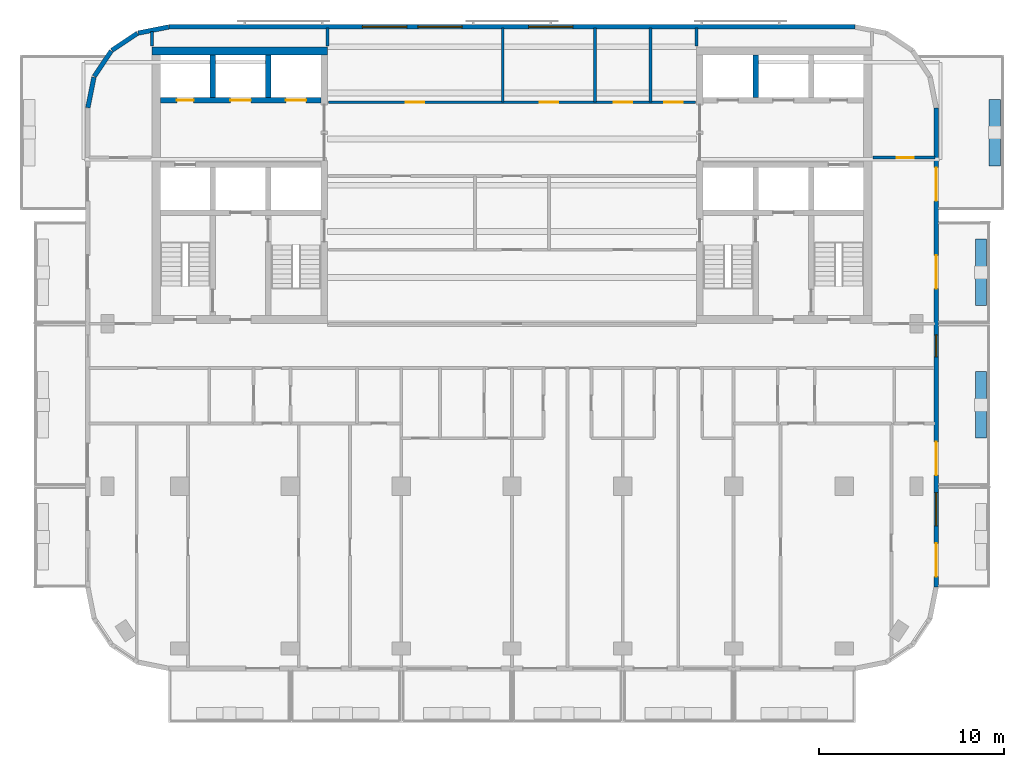
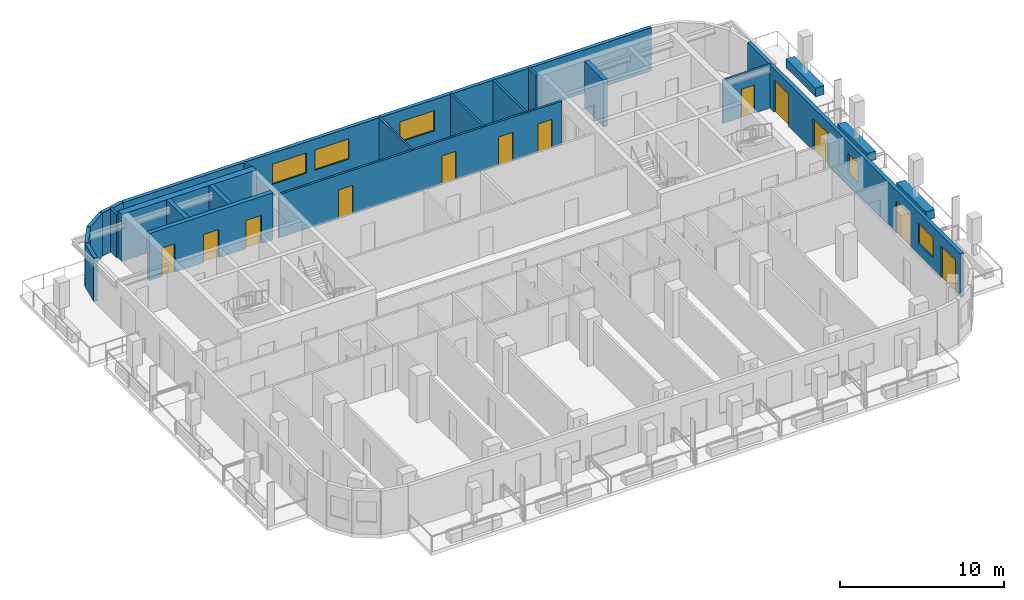
# One storey, part 6 of 11: 22 walls, 12 doors, 5 windows, 17 openings.
"""IFC4 building model written with IfcOpenShell, lengths in metres."""

import ifcopenshell
import ifcopenshell.guid

model = None  # the IFC model being written
_history = None  # IfcOwnerHistory: only IFC2X3 demands one
_inside = {}  # id of a spatial element -> (the spatial element, [elements in it])
_under = {}  # id of a project, library or spatial element -> (it, [spatial elements below it])
_declared = {}  # id of a project -> (the project, [libraries it declares])
_typed = {}  # id of a type object -> (the type object, [elements of that type])
_made_of = {}  # id of a material, layer set ... -> (it, [elements and type objects made of it])


def new_model(schema):
    """Start an empty IFC model of exactly this schema.

    Asked for "IFC4X3", IfcOpenShell would pick the latest addendum, in which some entities
    have other attributes; the version numbers below select the first issue.
    IFC2X3 requires an IfcOwnerHistory on every rooted entity: one is made here for all.
    """
    global model, _history
    if schema == "IFC4X3":
        model = ifcopenshell.file(schema_version=(4, 3, 0, 0))
    else:
        model = ifcopenshell.file(schema=schema)
    _inside.clear()
    _under.clear()
    _declared.clear()
    _typed.clear()
    _made_of.clear()
    _history = None
    if model.schema == "IFC2X3":
        org = make("IfcOrganization", Name="unknown")
        user = make(
            "IfcPersonAndOrganization",
            ThePerson=make("IfcPerson", FamilyName="unknown"),
            TheOrganization=org,
        )
        app = make(
            "IfcApplication",
            ApplicationDeveloper=org,
            Version="unknown",
            ApplicationFullName="unknown",
            ApplicationIdentifier="unknown",
        )
        _history = make(
            "IfcOwnerHistory",
            OwningUser=user,
            OwningApplication=app,
            ChangeAction="ADDED",
            CreationDate=0,
        )
    return model


def make(cls, **values):
    """One entity of the class cls with the attributes given. An attribute that is None is left unset."""
    return model.create_entity(
        cls, **{name: value for name, value in values.items() if value is not None}
    )


def rooted(cls, **values):
    """An entity with a GlobalId (a new one), such as an element, a storey or a relation."""
    return make(cls, GlobalId=ifcopenshell.guid.new(), OwnerHistory=_history, **values)


def si_unit(unit_type, name, prefix=None):
    """IfcSIUnit, for example si_unit("LENGTHUNIT", "METRE", prefix="MILLI")."""
    return make("IfcSIUnit", UnitType=unit_type, Prefix=prefix, Name=name)


def assignment(units):
    """IfcUnitAssignment: the units of a project."""
    return None if units is None else make("IfcUnitAssignment", Units=units)


def point(xyz):
    """IfcCartesianPoint."""
    return None if xyz is None else make("IfcCartesianPoint", Coordinates=xyz)


def direction(xyz):
    """IfcDirection."""
    return None if xyz is None else make("IfcDirection", DirectionRatios=xyz)


def frame(location, z_axis=None, x_axis=None):
    """IfcAxis2Placement3D, a coordinate frame: its origin and axes. An axis left out is left unset."""
    return make(
        "IfcAxis2Placement3D",
        Location=point(location),
        Axis=direction(z_axis),
        RefDirection=direction(x_axis),
    )


def frame_2d(location, x_axis=None):
    """IfcAxis2Placement2D, a coordinate frame in the plane: its origin and x axis."""
    return make(
        "IfcAxis2Placement2D", Location=point(location), RefDirection=direction(x_axis)
    )


def origin():
    """The frame at (0, 0, 0) with its axes left unset."""
    return frame((0.0, 0.0, 0.0))


def place(relative_to, where):
    """IfcLocalPlacement: puts the frame where relative to a parent placement (None: the world)."""
    return make(
        "IfcLocalPlacement", PlacementRelTo=relative_to, RelativePlacement=where
    )


def context(
    kind, dimensions, precision=None, world=None, true_north=None, identifier=None
):
    """IfcGeometricRepresentationContext, for example the 3D "Model" context."""
    return make(
        "IfcGeometricRepresentationContext",
        ContextIdentifier=identifier,
        ContextType=kind,
        CoordinateSpaceDimension=dimensions,
        Precision=precision,
        WorldCoordinateSystem=world,
        TrueNorth=true_north,
    )


def subcontext(parent, identifier, kind, view, scale=None):
    """IfcGeometricRepresentationSubContext, for example "Body" below "Model"."""
    return make(
        "IfcGeometricRepresentationSubContext",
        ContextIdentifier=identifier,
        ContextType=kind,
        ParentContext=parent,
        TargetScale=scale,
        TargetView=view,
    )


def project(units=None, contexts=None):
    """IfcProject with its units and contexts."""
    return rooted(
        "IfcProject",
        Name="project",
        RepresentationContexts=contexts,
        UnitsInContext=assignment(units),
    )


def spatial(cls, under=None, at=None, **own):
    """A site, building, storey or space (cls), placed at a placement, below another one or the project."""
    s = rooted(cls, ObjectPlacement=at, **own)
    if under is not None:
        _under.setdefault(under.id(), (under, []))[1].append(s)
    return s


def profile(cls, at=None, kind="AREA", **sizes):
    """A parametric profile (cls). Its sizes go by their IFC names, for example OverallWidth=200.0."""
    return make(cls, ProfileType=kind, Position=at, **sizes)


def rectangle(**sizes):
    """IfcRectangleProfileDef."""
    return profile("IfcRectangleProfileDef", **sizes)


def extrude(swept, where, along, depth):
    """IfcExtrudedAreaSolid: the profile swept, set in the frame where, extruded along a direction by depth."""
    return make(
        "IfcExtrudedAreaSolid",
        SweptArea=swept,
        Position=where,
        ExtrudedDirection=direction(along),
        Depth=depth,
    )


def shape(context_of_items, identifier, shape_type, items):
    """IfcShapeRepresentation: the items that make up one representation, for example the "Body"."""
    return make(
        "IfcShapeRepresentation",
        ContextOfItems=context_of_items,
        RepresentationIdentifier=identifier,
        RepresentationType=shape_type,
        Items=items,
    )


def material(Name=None, Category=None):
    """IfcMaterial."""
    return make("IfcMaterial", Name=Name, Category=Category)


def layer(
    of_material, thickness, ventilated=None, Name=None, Category=None, Priority=None
):
    """IfcMaterialLayer: one layer of a wall or slab, of a material (None: an air gap)."""
    return make(
        "IfcMaterialLayer",
        Material=of_material,
        LayerThickness=thickness,
        IsVentilated=ventilated,
        Name=Name,
        Category=Category,
        Priority=Priority,
    )


def layer_set(layers, Name=None):
    """IfcMaterialLayerSet."""
    return make("IfcMaterialLayerSet", MaterialLayers=layers, LayerSetName=Name)


def made_of(thing, what):
    """Note that an element or type object is made of a material, layer set ...; save() writes the relation."""
    if what is not None:
        _made_of.setdefault(what.id(), (what, []))[1].append(thing)
    return thing


def type_object(cls, material=None, **own):
    """A type object (cls), such as IfcWallType, which elements share."""
    return made_of(rooted(cls, **own), material)


def element(
    cls,
    number,
    at=None,
    inside=None,
    cuts=None,
    type_object=None,
    material=None,
    context=None,
    identifier="Body",
    shape_type=None,
    held_by="IfcProductDefinitionShape",
    body=None,
    shapes=None,
    **own,
):
    """One element of the class cls, such as IfcWall. Its Tag is "e" and its number.

    at: its placement. inside: the storey or other place that contains it. cuts: it is an
    opening in that element (IfcRelVoidsElement). A single representation is given by context,
    identifier, shape_type and body (its items); several are given by shapes. held_by: the class
    of the entity that holds the representations. save() writes the other relations.
    """
    e = rooted(cls, Tag="e%d" % number, ObjectPlacement=at, **own)
    if body is not None:
        shapes = [shape(context, identifier, shape_type, body)]
    if shapes is not None:
        e.Representation = make(held_by, Representations=shapes)
    if inside is not None:
        _inside.setdefault(inside.id(), (inside, []))[1].append(e)
    if cuts is not None:
        rooted(
            "IfcRelVoidsElement", RelatingBuildingElement=cuts, RelatedOpeningElement=e
        )
    if type_object is not None:
        _typed.setdefault(type_object.id(), (type_object, []))[1].append(e)
    return made_of(e, material)


def fill(opening, filler):
    """IfcRelFillsElement: the door or window that sits in an opening."""
    return rooted(
        "IfcRelFillsElement",
        RelatingOpeningElement=opening,
        RelatedBuildingElement=filler,
    )


def aggregate(whole, parts):
    """IfcRelAggregates: a whole, such as a stair, and the parts it consists of."""
    return rooted("IfcRelAggregates", RelatingObject=whole, RelatedObjects=parts)


def save(model, path):
    """Write the relations noted so far, then the file.

    IfcRelAggregates (storeys below a building ...), IfcRelContainedInSpatialStructure (elements
    in a storey), IfcRelDefinesByType, IfcRelAssociatesMaterial and IfcRelDeclares: one each for
    every whole, place, type object, material and project.
    """
    for whole, parts in _under.values():
        aggregate(whole, parts)
    for where, things in _inside.values():
        rooted(
            "IfcRelContainedInSpatialStructure",
            RelatedElements=things,
            RelatingStructure=where,
        )
    for kind, things in _typed.values():
        rooted("IfcRelDefinesByType", RelatedObjects=things, RelatingType=kind)
    for what, things in _made_of.values():
        rooted("IfcRelAssociatesMaterial", RelatedObjects=things, RelatingMaterial=what)
    for by, libraries in _declared.values():
        rooted("IfcRelDeclares", RelatingContext=by, RelatedDefinitions=libraries)
    model.write(path)


model = new_model("IFC4")

# Units and contexts
model_context = context("Model", 3, precision=1e-05, world=origin(), true_north=direction((0.0, 1.0)))
body_context = subcontext(model_context, "Body", "Model", "MODEL_VIEW")
ifc_project = project(units=[si_unit("LENGTHUNIT", "METRE"), si_unit("AREAUNIT", "SQUARE_METRE"), si_unit("VOLUMEUNIT", "CUBIC_METRE"), si_unit("PLANEANGLEUNIT", "RADIAN"), si_unit("MASSUNIT", "GRAM", prefix="KILO")], contexts=[model_context])

# Site, building, storey
site_placement = place(None, origin())
site = spatial("IfcSite", under=ifc_project, at=site_placement, CompositionType="ELEMENT")
building_placement = place(site_placement, origin())
building = spatial("IfcBuilding", under=site, at=building_placement, Name="Torana Hotel and Residences", CompositionType="ELEMENT")
storey_placement = place(building_placement, frame((0.0, 0.0, 277.10009765625)))
storey = spatial("IfcBuildingStorey", under=building, at=storey_placement, Name="L73", CompositionType="ELEMENT", Elevation=277.10009765625)

# Wall, openings, doors
ifc_material_1 = material(Name="Concrete C60/75", Category="concrete")
ifc_layer_1 = layer(ifc_material_1, 0.300048828125)
ifc_layer_set_1 = layer_set([ifc_layer_1], Name="CORE WALL 300 C60/75")
wall_type_1 = type_object("IfcWallType", Name="CORE WALL 300 C60/75", PredefinedType="SHEAR", material=ifc_layer_set_1)
wall_1_placement = place(storey_placement, frame((-19.050048828125, -2.89990234375, 0.0), z_axis=(0.0, 0.0, 1.0), x_axis=(1.0, 0.0, 0.0)))
wall_1 = element("IfcWall", 1, at=wall_1_placement, inside=storey, type_object=wall_type_1, Name="Core wall W row-N", PredefinedType="SHEAR", context=body_context, shape_type="SweptSolid", body=[
    extrude(rectangle(XDim=8.699951171875, YDim=0.300048828125, at=frame_2d((4.35009765625, 0.0))), origin(), (0.0, 0.0, 1.0), 3.5),
])
opening_1_placement = place(wall_1_placement, frame((6.800048828125, 0.0, 0.0)))
opening_1 = element("IfcOpeningElement", 2, at=opening_1_placement, cuts=wall_1, Name="Opening LD", PredefinedType="OPENING", context=body_context, shape_type="SweptSolid", body=[
    extrude(rectangle(XDim=1.10009765625, YDim=2.10009765625, at=frame_2d((0.550048828125, 1.050048828125))), frame((0.0, 0.159912109375, 0.0), z_axis=(0.0, -1.0, 0.0), x_axis=(1.0, 0.0, 0.0)), (0.0, 0.0, 1.0), 0.320068359375),
])
opening_2_placement = place(wall_1_placement, frame((3.800048828125, 0.0, 0.0)))
opening_2 = element("IfcOpeningElement", 3, at=opening_2_placement, cuts=wall_1, Name="Opening LD", PredefinedType="OPENING", context=body_context, shape_type="SweptSolid", body=[
    extrude(rectangle(XDim=1.10009765625, YDim=2.10009765625, at=frame_2d((0.550048828125, 1.050048828125))), frame((0.0, 0.159912109375, 0.0), z_axis=(0.0, -1.0, 0.0), x_axis=(1.0, 0.0, 0.0)), (0.0, 0.0, 1.0), 0.320068359375),
])
opening_3_placement = place(wall_1_placement, frame((0.89990234375, 0.0, 0.0)))
opening_3 = element("IfcOpeningElement", 4, at=opening_3_placement, cuts=wall_1, Name="Opening L73-06", PredefinedType="OPENING", context=body_context, shape_type="SweptSolid", body=[
    extrude(rectangle(XDim=0.89990234375, YDim=2.10009765625, at=frame_2d((0.449951171875, 1.050048828125))), frame((0.0, 0.159912109375, 0.0), z_axis=(0.0, -1.0, 0.0), x_axis=(1.0, 0.0, 0.0)), (0.0, 0.0, 1.0), 0.320068359375),
])
ifc_material_2 = material(Name="Stainless steel 316", Category="steel")
door_type_1 = type_object("IfcDoorType", Name="LIFT LANDING DOOR LD 1100x2100", OperationType="DOUBLE_DOOR_SLIDING", PredefinedType="USERDEFINED", material=ifc_material_2)
door_1_placement = place(opening_1_placement, origin())
door_1 = element("IfcDoor", 5, at=door_1_placement, inside=storey, type_object=door_type_1, Name="Lift landing door H1 L73", ObjectType="LIFT LANDING DOOR", OperationType="DOUBLE_DOOR_SLIDING", OverallHeight=2.10009765625, OverallWidth=1.10009765625, PredefinedType="USERDEFINED", context=body_context, shape_type="SweptSolid", body=[
    extrude(rectangle(XDim=1.10009765625, YDim=2.10009765625, at=frame_2d((0.550048828125, 1.050048828125))), frame((0.0, 0.02490234375, 0.0), z_axis=(0.0, -1.0, 0.0), x_axis=(1.0, 0.0, 0.0)), (0.0, 0.0, 1.0), 0.050048828125),
])
fill(opening_1, door_1)
door_2_placement = place(opening_2_placement, origin())
door_2 = element("IfcDoor", 6, at=door_2_placement, inside=storey, type_object=door_type_1, Name="Lift landing door H2 L73", ObjectType="LIFT LANDING DOOR", OperationType="DOUBLE_DOOR_SLIDING", OverallHeight=2.10009765625, OverallWidth=1.10009765625, PredefinedType="USERDEFINED", context=body_context, shape_type="SweptSolid", body=[
    extrude(rectangle(XDim=1.10009765625, YDim=2.10009765625, at=frame_2d((0.550048828125, 1.050048828125))), frame((0.0, 0.02490234375, 0.0), z_axis=(0.0, -1.0, 0.0), x_axis=(1.0, 0.0, 0.0)), (0.0, 0.0, 1.0), 0.050048828125),
])
fill(opening_2, door_2)
ifc_material_3 = material(Name="Steel S235", Category="steel")
door_type_2 = type_object("IfcDoorType", Name="RISER ACCESS DOOR D5 900x2100", OperationType="SINGLE_SWING_LEFT", PredefinedType="DOOR", material=ifc_material_3)
door_3_placement = place(opening_3_placement, origin())
door_3 = element("IfcDoor", 7, at=door_3_placement, inside=storey, type_object=door_type_2, Name="N2 door L73", OperationType="SINGLE_SWING_RIGHT", OverallHeight=2.10009765625, OverallWidth=0.89990234375, PredefinedType="DOOR", context=body_context, shape_type="SweptSolid", body=[
    extrude(rectangle(XDim=0.89990234375, YDim=2.10009765625, at=frame_2d((0.449951171875, 1.050048828125))), frame((0.0, 0.02490234375, 0.0), z_axis=(0.0, -1.0, 0.0), x_axis=(1.0, 0.0, 0.0)), (0.0, 0.0, 1.0), 0.050048828125),
])
fill(opening_3, door_3)

# Walls
for number, where, z_axis, x_axis, name in (
    (8, (-13.199951171875, -2.75, 0.0), (0.0, 0.0, 1.0), (0.0, 1.0, 0.0), "Core wall W x3.05-N"),
    (9, (-16.199951171875, -2.75, 0.0), (0.0, 0.0, 1.0), (0.0, 1.0, 0.0), "Core wall W x6.05-N"),
    (10, (13.199951171875, -2.75, 0.0), (0.0, 0.0, 1.0), (0.0, 1.0, 0.0), "Core wall E x3.05-N"),
):
    element("IfcWall", number, at=place(storey_placement, frame(where, z_axis=z_axis, x_axis=x_axis)), inside=storey, type_object=wall_type_1, Name=name, PredefinedType="SHEAR", context=body_context, shape_type="SweptSolid", body=[
        extrude(rectangle(XDim=2.300048828125, YDim=0.300048828125, at=frame_2d((1.14990234375, 0.0))), origin(), (0.0, 0.0, 1.0), 3.5),
    ])
ifc_material_4 = material(Name="Concrete C60/75", Category="concrete")
ifc_layer_2 = layer(ifc_material_4, 0.449951171875)
ifc_layer_set_2 = layer_set([ifc_layer_2], Name="CORE WALL 450 C60/75")
wall_type_2 = type_object("IfcWallType", Name="CORE WALL 450 C60/75", PredefinedType="SHEAR", material=ifc_layer_set_2)
wall_2_placement = place(storey_placement, frame((-19.5, -0.22509765625, 0.0), z_axis=(0.0, 0.0, 1.0), x_axis=(1.0, 0.0, 0.0)))
element("IfcWall", 11, at=wall_2_placement, inside=storey, type_object=wall_type_2, Name="Core wall W rear", PredefinedType="SHEAR", context=body_context, shape_type="SweptSolid", body=[
    extrude(rectangle(XDim=9.5, YDim=0.449951171875, at=frame_2d((4.75, 0.0))), origin(), (0.0, 0.0, 1.0), 3.5),
])
ifc_material_5 = material(Name="Black aluminium composite panel", Category="aluminium")
ifc_layer_3 = layer(ifc_material_5, 0.00390625, Name="Cladding", Category="cladding")
ifc_material_6 = material(Name="Ventilated air cavity")
ifc_layer_4 = layer(ifc_material_6, 0.0400390625, Name="Ventilated cavity", Category="cavity")
ifc_material_7 = material(Name="Mineral wool insulation")
ifc_layer_5 = layer(ifc_material_7, 0.090087890625, Name="Insulation", Category="insulation")
ifc_material_8 = material(Name="Steel S280GD", Category="steel")
ifc_layer_6 = layer(ifc_material_8, 0.092041015625, Name="Steel stud frame", Category="structure")
ifc_material_9 = material(Name="Fire rated plasterboard")
ifc_layer_7 = layer(ifc_material_9, 0.011962890625, Name="Inner board", Category="finish")
ifc_layer_8 = layer(ifc_material_9, 0.011962890625, Name="Second board", Category="finish")
ifc_layer_set_3 = layer_set([ifc_layer_3, ifc_layer_4, ifc_layer_5, ifc_layer_6, ifc_layer_7, ifc_layer_8], Name="EW1 EXTERNAL WALL BLACK METAL CLAD 250")
wall_type_3 = type_object("IfcWallType", Name="EW1 EXTERNAL WALL BLACK METAL CLAD 250", PredefinedType="SOLIDWALL", material=ifc_layer_set_3)
wall_3_placement = place(storey_placement, frame((-18.599853515625, 1.072509765625, 0.0), z_axis=(0.0, 0.0, 1.0), x_axis=(-0.980797896849, -0.195026884138, 0.0)))
element("IfcWall", 12, at=wall_3_placement, inside=storey, type_object=wall_type_3, Name="External wall L73 e0.5", PredefinedType="SOLIDWALL", context=body_context, shape_type="SweptSolid", body=[
    extrude(rectangle(XDim=1.68115234375, YDim=0.25, at=frame_2d((0.840576171875, 0.0))), origin(), (0.0, 0.0, 1.0), 3.219970703125),
])
for number, where, z_axis, x_axis, name in (
    (13, (-20.2939453125, 0.725830078125, 0.0), (0.0, 0.0, 1.0), (-0.831482937015, -0.55555029066, 0.0), "External wall L73 e0.6"),
    (14, (-21.705810546875, -0.228759765625, 0.0), (0.0, 0.0, 1.0), (-0.55555029066, -0.831482937015, 0.0), "External wall L73 e0.7"),
):
    element("IfcWall", number, at=place(storey_placement, frame(where, z_axis=z_axis, x_axis=x_axis)), inside=storey, type_object=wall_type_3, Name=name, PredefinedType="SOLIDWALL", context=body_context, shape_type="SweptSolid", body=[
        extrude(rectangle(XDim=1.65625, YDim=0.25, at=frame_2d((0.828125, 0.0))), origin(), (0.0, 0.0, 1.0), 3.219970703125),
    ])
wall_4_placement = place(storey_placement, frame((-22.64453125, -1.651123046875, 0.0), z_axis=(0.0, 0.0, 1.0), x_axis=(-0.19513878023, -0.980775640221, 0.0)))
element("IfcWall", 15, at=wall_4_placement, inside=storey, type_object=wall_type_3, Name="External wall L73 e0.8", PredefinedType="SOLIDWALL", context=body_context, shape_type="SweptSolid", body=[
    extrude(rectangle(XDim=1.681396484375, YDim=0.25, at=frame_2d((0.8408203125, 0.0))), origin(), (0.0, 0.0, 1.0), 3.219970703125),
])

# Wall, openings, doors, windows
wall_5_placement = place(storey_placement, frame((22.97509765625, -29.275390625, 0.0), z_axis=(0.0, 0.0, 1.0), x_axis=(0.0, 1.0, 0.0)))
wall_5 = element("IfcWall", 16, at=wall_5_placement, inside=storey, type_object=wall_type_3, Name="External wall L73 e0.19", PredefinedType="SOLIDWALL", context=body_context, shape_type="SweptSolid", body=[
    extrude(rectangle(XDim=25.95068359375, YDim=0.25, at=frame_2d((12.975341796875, 0.0))), origin(), (0.0, 0.0, 1.0), 3.219970703125),
])
opening_4_placement = place(wall_5_placement, frame((0.575439453125, 0.0, 0.0)))
opening_4 = element("IfcOpeningElement", 17, at=opening_4_placement, cuts=wall_5, Name="Opening L73-E07", PredefinedType="OPENING", context=body_context, shape_type="SweptSolid", body=[
    extrude(rectangle(XDim=1.800048828125, YDim=2.39990234375, at=frame_2d((0.89990234375, 1.199951171875))), frame((0.0, 0.135009765625, 0.0), z_axis=(0.0, -1.0, 0.0), x_axis=(1.0, 0.0, 0.0)), (0.0, 0.0, 1.0), 0.27001953125),
])
opening_5_placement = place(wall_5_placement, frame((3.325439453125, 0.0, 0.89990234375)))
opening_5 = element("IfcOpeningElement", 18, at=opening_5_placement, cuts=wall_5, Name="Opening W4", PredefinedType="OPENING", context=body_context, shape_type="SweptSolid", body=[
    extrude(rectangle(XDim=1.800048828125, YDim=1.5, at=frame_2d((0.89990234375, 0.75))), frame((0.0, 0.135009765625, 0.0), z_axis=(0.0, -1.0, 0.0), x_axis=(1.0, 0.0, 0.0)), (0.0, 0.0, 1.0), 0.27001953125),
])
opening_6_placement = place(wall_5_placement, frame((6.075439453125, 0.0, 0.0)))
opening_6 = element("IfcOpeningElement", 19, at=opening_6_placement, cuts=wall_5, Name="Opening L73-E08", PredefinedType="OPENING", context=body_context, shape_type="SweptSolid", body=[
    extrude(rectangle(XDim=1.800048828125, YDim=2.39990234375, at=frame_2d((0.89990234375, 1.199951171875))), frame((0.0, 0.135009765625, 0.0), z_axis=(0.0, -1.0, 0.0), x_axis=(1.0, 0.0, 0.0)), (0.0, 0.0, 1.0), 0.27001953125),
])
opening_7_placement = place(wall_5_placement, frame((12.475341796875, 0.0, 0.89990234375)))
opening_7 = element("IfcOpeningElement", 20, at=opening_7_placement, cuts=wall_5, Name="Opening W5", PredefinedType="OPENING", context=body_context, shape_type="SweptSolid", body=[
    extrude(rectangle(XDim=1.199951171875, YDim=1.5, at=frame_2d((0.60009765625, 0.75))), frame((0.0, 0.135009765625, 0.0), z_axis=(0.0, -1.0, 0.0), x_axis=(1.0, 0.0, 0.0)), (0.0, 0.0, 1.0), 0.27001953125),
])
opening_8_placement = place(wall_5_placement, frame((16.17529296875, 0.0, 0.0)))
opening_8 = element("IfcOpeningElement", 21, at=opening_8_placement, cuts=wall_5, Name="Opening L73-E09", PredefinedType="OPENING", context=body_context, shape_type="SweptSolid", body=[
    extrude(rectangle(XDim=1.800048828125, YDim=2.39990234375, at=frame_2d((0.89990234375, 1.199951171875))), frame((0.0, 0.135009765625, 0.0), z_axis=(0.0, -1.0, 0.0), x_axis=(1.0, 0.0, 0.0)), (0.0, 0.0, 1.0), 0.27001953125),
])
opening_9_placement = place(wall_5_placement, frame((20.92529296875, 0.0, 0.0)))
opening_9 = element("IfcOpeningElement", 22, at=opening_9_placement, cuts=wall_5, Name="Opening L73-E10", PredefinedType="OPENING", context=body_context, shape_type="SweptSolid", body=[
    extrude(rectangle(XDim=1.800048828125, YDim=2.39990234375, at=frame_2d((0.89990234375, 1.199951171875))), frame((0.0, 0.135009765625, 0.0), z_axis=(0.0, -1.0, 0.0), x_axis=(1.0, 0.0, 0.0)), (0.0, 0.0, 1.0), 0.27001953125),
])
ifc_material_10 = material(Name="Dark glass in black aluminium frame", Category="aluminium")
door_type_3 = type_object("IfcDoorType", Name="DB1 BALCONY DOOR 1800x2400", OperationType="DOUBLE_DOOR_SINGLE_SWING", PredefinedType="DOOR", material=ifc_material_10)
door_4_placement = place(opening_4_placement, origin())
door_4 = element("IfcDoor", 23, at=door_4_placement, inside=storey, type_object=door_type_3, Name="Balcony door L73", OperationType="DOUBLE_DOOR_SINGLE_SWING", OverallHeight=2.39990234375, OverallWidth=1.800048828125, PredefinedType="DOOR", context=body_context, shape_type="SweptSolid", body=[
    extrude(rectangle(XDim=1.800048828125, YDim=2.39990234375, at=frame_2d((0.89990234375, 1.199951171875))), frame((0.0, 0.02490234375, 0.0), z_axis=(0.0, -1.0, 0.0), x_axis=(1.0, 0.0, 0.0)), (0.0, 0.0, 1.0), 0.050048828125),
])
fill(opening_4, door_4)
door_5_placement = place(opening_6_placement, origin())
door_5 = element("IfcDoor", 24, at=door_5_placement, inside=storey, type_object=door_type_3, Name="Balcony door L73", OperationType="DOUBLE_DOOR_SINGLE_SWING", OverallHeight=2.39990234375, OverallWidth=1.800048828125, PredefinedType="DOOR", context=body_context, shape_type="SweptSolid", body=[
    extrude(rectangle(XDim=1.800048828125, YDim=2.39990234375, at=frame_2d((0.89990234375, 1.199951171875))), frame((0.0, 0.02490234375, 0.0), z_axis=(0.0, -1.0, 0.0), x_axis=(1.0, 0.0, 0.0)), (0.0, 0.0, 1.0), 0.050048828125),
])
fill(opening_6, door_5)
door_6_placement = place(opening_8_placement, origin())
door_6 = element("IfcDoor", 25, at=door_6_placement, inside=storey, type_object=door_type_3, Name="Balcony door L73", OperationType="DOUBLE_DOOR_SINGLE_SWING", OverallHeight=2.39990234375, OverallWidth=1.800048828125, PredefinedType="DOOR", context=body_context, shape_type="SweptSolid", body=[
    extrude(rectangle(XDim=1.800048828125, YDim=2.39990234375, at=frame_2d((0.89990234375, 1.199951171875))), frame((0.0, 0.02490234375, 0.0), z_axis=(0.0, -1.0, 0.0), x_axis=(1.0, 0.0, 0.0)), (0.0, 0.0, 1.0), 0.050048828125),
])
fill(opening_8, door_6)
door_7_placement = place(opening_9_placement, origin())
door_7 = element("IfcDoor", 26, at=door_7_placement, inside=storey, type_object=door_type_3, Name="Balcony door L73", OperationType="DOUBLE_DOOR_SINGLE_SWING", OverallHeight=2.39990234375, OverallWidth=1.800048828125, PredefinedType="DOOR", context=body_context, shape_type="SweptSolid", body=[
    extrude(rectangle(XDim=1.800048828125, YDim=2.39990234375, at=frame_2d((0.89990234375, 1.199951171875))), frame((0.0, 0.02490234375, 0.0), z_axis=(0.0, -1.0, 0.0), x_axis=(1.0, 0.0, 0.0)), (0.0, 0.0, 1.0), 0.050048828125),
])
fill(opening_9, door_7)
ifc_material_11 = material(Name="Dark glass in black aluminium frame", Category="aluminium")
window_type_1 = type_object("IfcWindowType", Name="W4 RESIDENCE WINDOW NARROW 1800x1500", PartitioningType="SINGLE_PANEL", PredefinedType="WINDOW", material=ifc_material_11)
window_1_placement = place(opening_5_placement, origin())
window_1 = element("IfcWindow", 27, at=window_1_placement, inside=storey, type_object=window_type_1, Name="Window L73", OverallHeight=1.5, OverallWidth=1.800048828125, PartitioningType="SINGLE_PANEL", PredefinedType="WINDOW", context=body_context, shape_type="SweptSolid", body=[
    extrude(rectangle(XDim=1.800048828125, YDim=1.5, at=frame_2d((0.89990234375, 0.75))), frame((0.0, 0.030029296875, 0.0), z_axis=(0.0, -1.0, 0.0), x_axis=(1.0, 0.0, 0.0)), (0.0, 0.0, 1.0), 0.06005859375),
])
fill(opening_5, window_1)
ifc_material_12 = material(Name="Dark glass in black aluminium frame", Category="aluminium")
window_type_2 = type_object("IfcWindowType", Name="W5 CORNER FACET WINDOW 1200x1500", PartitioningType="SINGLE_PANEL", PredefinedType="WINDOW", material=ifc_material_12)
window_2_placement = place(opening_7_placement, origin())
window_2 = element("IfcWindow", 28, at=window_2_placement, inside=storey, type_object=window_type_2, Name="Window L73", OverallHeight=1.5, OverallWidth=1.199951171875, PartitioningType="SINGLE_PANEL", PredefinedType="WINDOW", context=body_context, shape_type="SweptSolid", body=[
    extrude(rectangle(XDim=1.199951171875, YDim=1.5, at=frame_2d((0.60009765625, 0.75))), frame((0.0, 0.030029296875, 0.0), z_axis=(0.0, -1.0, 0.0), x_axis=(1.0, 0.0, 0.0)), (0.0, 0.0, 1.0), 0.06005859375),
])
fill(opening_7, window_2)

# Wall, openings, windows
ifc_material_13 = material(Name="Concrete C40/50 precast", Category="concrete")
ifc_layer_9 = layer(ifc_material_13, 0.10009765625, Name="Perforated block", Category="cladding")
ifc_material_14 = material(Name="Air cavity")
ifc_layer_10 = layer(ifc_material_14, 0.030029296875, Name="Cavity", Category="cavity")
ifc_material_15 = material(Name="Concrete C40/50", Category="concrete")
ifc_layer_11 = layer(ifc_material_15, 0.10009765625, Name="Wall", Category="structure")
ifc_material_16 = material(Name="Plaster and paint")
ifc_layer_12 = layer(ifc_material_16, 0.02001953125, Name="Inner finish", Category="finish")
ifc_layer_set_4 = layer_set([ifc_layer_9, ifc_layer_10, ifc_layer_11, ifc_layer_12], Name="EW2 PERFORATED BLOCK SCREEN WALL 250")
wall_type_4 = type_object("IfcWallType", Name="EW2 PERFORATED BLOCK SCREEN WALL 250", PredefinedType="SOLIDWALL", material=ifc_layer_set_4)
wall_6_placement = place(storey_placement, frame((18.575439453125, 1.074951171875, 0.0), z_axis=(0.0, 0.0, 1.0), x_axis=(-1.0, 0.0, 0.0)))
wall_6 = element("IfcWall", 29, at=wall_6_placement, inside=storey, type_object=wall_type_4, Name="External wall L73 e0.4", PredefinedType="SOLIDWALL", context=body_context, shape_type="SweptSolid", body=[
    extrude(rectangle(XDim=37.15087890625, YDim=0.25, at=frame_2d((18.575439453125, 0.0))), origin(), (0.0, 0.0, 1.0), 3.219970703125),
])
opening_10_placement = place(wall_6_placement, frame((15.275390625, 0.0, 0.89990234375)))
opening_10 = element("IfcOpeningElement", 30, at=opening_10_placement, cuts=wall_6, Name="Opening W3", PredefinedType="OPENING", context=body_context, shape_type="SweptSolid", body=[
    extrude(rectangle(XDim=2.39990234375, YDim=1.5, at=frame_2d((1.199951171875, 0.75))), frame((0.0, 0.135009765625, 0.0), z_axis=(0.0, -1.0, 0.0), x_axis=(1.0, 0.0, 0.0)), (0.0, 0.0, 1.0), 0.27001953125),
])
opening_11_placement = place(wall_6_placement, frame((21.275390625, 0.0, 0.89990234375)))
opening_11 = element("IfcOpeningElement", 31, at=opening_11_placement, cuts=wall_6, Name="Opening W3", PredefinedType="OPENING", context=body_context, shape_type="SweptSolid", body=[
    extrude(rectangle(XDim=2.39990234375, YDim=1.5, at=frame_2d((1.199951171875, 0.75))), frame((0.0, 0.135009765625, 0.0), z_axis=(0.0, -1.0, 0.0), x_axis=(1.0, 0.0, 0.0)), (0.0, 0.0, 1.0), 0.27001953125),
])
opening_12_placement = place(wall_6_placement, frame((24.275390625, 0.0, 0.89990234375)))
opening_12 = element("IfcOpeningElement", 32, at=opening_12_placement, cuts=wall_6, Name="Opening W3", PredefinedType="OPENING", context=body_context, shape_type="SweptSolid", body=[
    extrude(rectangle(XDim=2.39990234375, YDim=1.5, at=frame_2d((1.199951171875, 0.75))), frame((0.0, 0.135009765625, 0.0), z_axis=(0.0, -1.0, 0.0), x_axis=(1.0, 0.0, 0.0)), (0.0, 0.0, 1.0), 0.27001953125),
])
ifc_material_17 = material(Name="Dark glass in black aluminium frame", Category="aluminium")
window_type_3 = type_object("IfcWindowType", Name="W3 RESIDENCE WINDOW 2400x1500", PartitioningType="SINGLE_PANEL", PredefinedType="WINDOW", material=ifc_material_17)
window_3_placement = place(opening_10_placement, origin())
window_3 = element("IfcWindow", 33, at=window_3_placement, inside=storey, type_object=window_type_3, Name="Window L73", OverallHeight=1.5, OverallWidth=2.39990234375, PartitioningType="SINGLE_PANEL", PredefinedType="WINDOW", context=body_context, shape_type="SweptSolid", body=[
    extrude(rectangle(XDim=2.39990234375, YDim=1.5, at=frame_2d((1.199951171875, 0.75))), frame((0.0, 0.030029296875, 0.0), z_axis=(0.0, -1.0, 0.0), x_axis=(1.0, 0.0, 0.0)), (0.0, 0.0, 1.0), 0.06005859375),
])
fill(opening_10, window_3)
window_4_placement = place(opening_11_placement, origin())
window_4 = element("IfcWindow", 34, at=window_4_placement, inside=storey, type_object=window_type_3, Name="Window L73", OverallHeight=1.5, OverallWidth=2.39990234375, PartitioningType="SINGLE_PANEL", PredefinedType="WINDOW", context=body_context, shape_type="SweptSolid", body=[
    extrude(rectangle(XDim=2.39990234375, YDim=1.5, at=frame_2d((1.199951171875, 0.75))), frame((0.0, 0.030029296875, 0.0), z_axis=(0.0, -1.0, 0.0), x_axis=(1.0, 0.0, 0.0)), (0.0, 0.0, 1.0), 0.06005859375),
])
fill(opening_11, window_4)
window_5_placement = place(opening_12_placement, origin())
window_5 = element("IfcWindow", 35, at=window_5_placement, inside=storey, type_object=window_type_3, Name="Window L73", OverallHeight=1.5, OverallWidth=2.39990234375, PartitioningType="SINGLE_PANEL", PredefinedType="WINDOW", context=body_context, shape_type="SweptSolid", body=[
    extrude(rectangle(XDim=2.39990234375, YDim=1.5, at=frame_2d((1.199951171875, 0.75))), frame((0.0, 0.030029296875, 0.0), z_axis=(0.0, -1.0, 0.0), x_axis=(1.0, 0.0, 0.0)), (0.0, 0.0, 1.0), 0.06005859375),
])
fill(opening_12, window_5)

# Wall, openings, doors
ifc_material_18 = material(Name="Gypsum plaster")
ifc_layer_13 = layer(ifc_material_18, 0.014892578125, Name="Plaster", Category="finish")
ifc_material_19 = material(Name="Concrete blockwork", Category="masonry")
ifc_layer_14 = layer(ifc_material_19, 0.1201171875, Name="Blockwork", Category="structure")
ifc_layer_15 = layer(ifc_material_18, 0.014892578125, Name="Plaster", Category="finish")
ifc_layer_set_5 = layer_set([ifc_layer_13, ifc_layer_14, ifc_layer_15], Name="FIRE PARTITION 150 BLOCKWORK")
wall_type_5 = type_object("IfcWallType", Name="FIRE PARTITION 150 BLOCKWORK", PredefinedType="PARTITIONING", material=ifc_layer_set_5)
wall_7_placement = place(storey_placement, frame((-9.949951171875, -3.0, 0.0), z_axis=(0.0, 0.0, 1.0), x_axis=(1.0, 0.0, 0.0)))
wall_7 = element("IfcWall", 36, at=wall_7_placement, inside=storey, type_object=wall_type_5, Name="Partition L73", PredefinedType="PARTITIONING", context=body_context, shape_type="SweptSolid", body=[
    extrude(rectangle(XDim=19.89990234375, YDim=0.14990234375, at=frame_2d((9.949951171875, 0.0))), origin(), (0.0, 0.0, 1.0), 3.219970703125),
])
opening_13_placement = place(wall_7_placement, frame((4.199951171875, 0.0, 0.0)))
opening_13 = element("IfcOpeningElement", 37, at=opening_13_placement, cuts=wall_7, Name="Opening L73-32", PredefinedType="OPENING", context=body_context, shape_type="SweptSolid", body=[
    extrude(rectangle(XDim=1.0, YDim=2.10009765625, at=frame_2d((0.5, 1.050048828125))), frame((0.0, 0.0849609375, 0.0), z_axis=(0.0, -1.0, 0.0), x_axis=(1.0, 0.0, 0.0)), (0.0, 0.0, 1.0), 0.169921875),
])
opening_14_placement = place(wall_7_placement, frame((11.449951171875, 0.0, 0.0)))
opening_14 = element("IfcOpeningElement", 38, at=opening_14_placement, cuts=wall_7, Name="Opening L73-33", PredefinedType="OPENING", context=body_context, shape_type="SweptSolid", body=[
    extrude(rectangle(XDim=1.0, YDim=2.10009765625, at=frame_2d((0.5, 1.050048828125))), frame((0.0, 0.0849609375, 0.0), z_axis=(0.0, -1.0, 0.0), x_axis=(1.0, 0.0, 0.0)), (0.0, 0.0, 1.0), 0.169921875),
])
opening_15_placement = place(wall_7_placement, frame((15.449951171875, 0.0, 0.0)))
opening_15 = element("IfcOpeningElement", 39, at=opening_15_placement, cuts=wall_7, Name="Opening L73-34", PredefinedType="OPENING", context=body_context, shape_type="SweptSolid", body=[
    extrude(rectangle(XDim=1.0, YDim=2.10009765625, at=frame_2d((0.5, 1.050048828125))), frame((0.0, 0.0849609375, 0.0), z_axis=(0.0, -1.0, 0.0), x_axis=(1.0, 0.0, 0.0)), (0.0, 0.0, 1.0), 0.169921875),
])
opening_16_placement = place(wall_7_placement, frame((18.199951171875, 0.0, 0.0)))
opening_16 = element("IfcOpeningElement", 40, at=opening_16_placement, cuts=wall_7, Name="Opening L73-35", PredefinedType="OPENING", context=body_context, shape_type="SweptSolid", body=[
    extrude(rectangle(XDim=1.0, YDim=2.10009765625, at=frame_2d((0.5, 1.050048828125))), frame((0.0, 0.0849609375, 0.0), z_axis=(0.0, -1.0, 0.0), x_axis=(1.0, 0.0, 0.0)), (0.0, 0.0, 1.0), 0.169921875),
])
ifc_material_20 = material(Name="Steel S235", Category="steel")
door_type_4 = type_object("IfcDoorType", Name="ENTRY FIRE DOOR D6 1000x2100", OperationType="SINGLE_SWING_LEFT", PredefinedType="DOOR", material=ifc_material_20)
door_8_placement = place(opening_13_placement, origin())
door_8 = element("IfcDoor", 41, at=door_8_placement, inside=storey, type_object=door_type_4, Name="Door L73", OperationType="SINGLE_SWING_RIGHT", OverallHeight=2.10009765625, OverallWidth=1.0, PredefinedType="DOOR", context=body_context, shape_type="SweptSolid", body=[
    extrude(rectangle(XDim=1.0, YDim=2.10009765625, at=frame_2d((0.5, 1.050048828125))), frame((0.0, 0.02490234375, 0.0), z_axis=(0.0, -1.0, 0.0), x_axis=(1.0, 0.0, 0.0)), (0.0, 0.0, 1.0), 0.050048828125),
])
fill(opening_13, door_8)
door_9_placement = place(opening_14_placement, origin())
door_9 = element("IfcDoor", 42, at=door_9_placement, inside=storey, type_object=door_type_4, Name="Door L73", OperationType="SINGLE_SWING_RIGHT", OverallHeight=2.10009765625, OverallWidth=1.0, PredefinedType="DOOR", context=body_context, shape_type="SweptSolid", body=[
    extrude(rectangle(XDim=1.0, YDim=2.10009765625, at=frame_2d((0.5, 1.050048828125))), frame((0.0, 0.02490234375, 0.0), z_axis=(0.0, -1.0, 0.0), x_axis=(1.0, 0.0, 0.0)), (0.0, 0.0, 1.0), 0.050048828125),
])
fill(opening_14, door_9)
door_10_placement = place(opening_15_placement, origin())
door_10 = element("IfcDoor", 43, at=door_10_placement, inside=storey, type_object=door_type_4, Name="Door L73", OperationType="SINGLE_SWING_RIGHT", OverallHeight=2.10009765625, OverallWidth=1.0, PredefinedType="DOOR", context=body_context, shape_type="SweptSolid", body=[
    extrude(rectangle(XDim=1.0, YDim=2.10009765625, at=frame_2d((0.5, 1.050048828125))), frame((0.0, 0.02490234375, 0.0), z_axis=(0.0, -1.0, 0.0), x_axis=(1.0, 0.0, 0.0)), (0.0, 0.0, 1.0), 0.050048828125),
])
fill(opening_15, door_10)
door_11_placement = place(opening_16_placement, origin())
door_11 = element("IfcDoor", 44, at=door_11_placement, inside=storey, type_object=door_type_4, Name="Door L73", OperationType="SINGLE_SWING_RIGHT", OverallHeight=2.10009765625, OverallWidth=1.0, PredefinedType="DOOR", context=body_context, shape_type="SweptSolid", body=[
    extrude(rectangle(XDim=1.0, YDim=2.10009765625, at=frame_2d((0.5, 1.050048828125))), frame((0.0, 0.02490234375, 0.0), z_axis=(0.0, -1.0, 0.0), x_axis=(1.0, 0.0, 0.0)), (0.0, 0.0, 1.0), 0.050048828125),
])
fill(opening_16, door_11)

# Walls
ifc_material_21 = material(Name="Gypsum plasterboard")
ifc_layer_16 = layer(ifc_material_21, 0.012451171875, Name="Plasterboard", Category="finish")
ifc_layer_17 = layer(ifc_material_21, 0.012451171875, Name="Plasterboard", Category="finish")
ifc_layer_18 = layer(ifc_material_8, 0.10009765625, Name="Steel studs with mineral wool", Category="insulation")
ifc_layer_19 = layer(ifc_material_21, 0.012451171875, Name="Plasterboard", Category="finish")
ifc_layer_20 = layer(ifc_material_21, 0.012451171875, Name="Plasterboard", Category="finish")
ifc_layer_set_6 = layer_set([ifc_layer_16, ifc_layer_17, ifc_layer_18, ifc_layer_19, ifc_layer_20], Name="PARTITION 150 PLASTERBOARD")
wall_type_6 = type_object("IfcWallType", Name="PARTITION 150 PLASTERBOARD", PredefinedType="PARTITIONING", material=ifc_layer_set_6)
wall_8_placement = place(storey_placement, frame((-0.5, -3.0, 0.0), z_axis=(0.0, 0.0, 1.0), x_axis=(0.0, 1.0, 0.0)))
element("IfcWall", 45, at=wall_8_placement, inside=storey, type_object=wall_type_6, Name="Partition L73", PredefinedType="PARTITIONING", context=body_context, shape_type="SweptSolid", body=[
    extrude(rectangle(XDim=4.02001953125, YDim=0.14990234375, at=frame_2d((2.010009765625, 0.0))), origin(), (0.0, 0.0, 1.0), 3.219970703125),
])
wall_9_placement = place(storey_placement, frame((-10.0, 0.050048828125, 0.0), z_axis=(0.0, 0.0, 1.0), x_axis=(0.0, 1.0, 0.0)))
element("IfcWall", 46, at=wall_9_placement, inside=storey, type_object=wall_type_6, Name="Partition L73", PredefinedType="PARTITIONING", context=body_context, shape_type="SweptSolid", body=[
    extrude(rectangle(XDim=0.969970703125, YDim=0.14990234375, at=frame_2d((0.48486328125, 0.0))), origin(), (0.0, 0.0, 1.0), 3.219970703125),
])
wall_10_placement = place(storey_placement, frame((-19.5, 0.050048828125, 0.0), z_axis=(0.0, 0.0, 1.0), x_axis=(0.0, 1.0, 0.0)))
element("IfcWall", 47, at=wall_10_placement, inside=storey, type_object=wall_type_6, Name="Partition L73", PredefinedType="PARTITIONING", context=body_context, shape_type="SweptSolid", body=[
    extrude(rectangle(XDim=0.787353515625, YDim=0.14990234375, at=frame_2d((0.3935546875, 0.0))), origin(), (0.0, 0.0, 1.0), 3.219970703125),
])

# Wall, opening, door
wall_11_placement = place(storey_placement, frame((19.550048828125, -6.0, 0.0), z_axis=(0.0, 0.0, 1.0), x_axis=(1.0, 0.0, 0.0)))
wall_11 = element("IfcWall", 48, at=wall_11_placement, inside=storey, type_object=wall_type_6, Name="Partition L73", PredefinedType="PARTITIONING", context=body_context, shape_type="SweptSolid", body=[
    extrude(rectangle(XDim=3.369873046875, YDim=0.14990234375, at=frame_2d((1.68505859375, 0.0))), origin(), (0.0, 0.0, 1.0), 3.219970703125),
])
opening_17_placement = place(wall_11_placement, frame((1.300048828125, 0.0, 0.0)))
opening_17 = element("IfcOpeningElement", 49, at=opening_17_placement, cuts=wall_11, Name="Opening L73-58", PredefinedType="OPENING", context=body_context, shape_type="SweptSolid", body=[
    extrude(rectangle(XDim=0.89990234375, YDim=2.10009765625, at=frame_2d((0.449951171875, 1.050048828125))), frame((0.0, 0.0849609375, 0.0), z_axis=(0.0, -1.0, 0.0), x_axis=(1.0, 0.0, 0.0)), (0.0, 0.0, 1.0), 0.169921875),
])
ifc_material_22 = material(Name="Timber door, oiled ash", Category="wood")
door_type_5 = type_object("IfcDoorType", Name="ROOM DOOR D7 900x2100", OperationType="SINGLE_SWING_LEFT", PredefinedType="DOOR", material=ifc_material_22)
door_12_placement = place(opening_17_placement, origin())
door_12 = element("IfcDoor", 50, at=door_12_placement, inside=storey, type_object=door_type_5, Name="Door L73", OperationType="SINGLE_SWING_LEFT", OverallHeight=2.10009765625, OverallWidth=0.89990234375, PredefinedType="DOOR", context=body_context, shape_type="SweptSolid", body=[
    extrude(rectangle(XDim=0.89990234375, YDim=2.10009765625, at=frame_2d((0.449951171875, 1.050048828125))), frame((0.0, 0.02490234375, 0.0), z_axis=(0.0, -1.0, 0.0), x_axis=(1.0, 0.0, 0.0)), (0.0, 0.0, 1.0), 0.050048828125),
])
fill(opening_17, door_12)

# Walls
ifc_layer_21 = layer(ifc_material_13, 0.10009765625, Name="Planter shell", Category="structure")
ifc_material_23 = material(Name="Root resistant membrane")
ifc_layer_22 = layer(ifc_material_23, 0.00390625, Name="Waterproofing membrane", Category="membrane")
ifc_material_24 = material(Name="Drainage board with filter fleece")
ifc_layer_23 = layer(ifc_material_24, 0.02001953125, Name="Drainage board", Category="drainage")
ifc_material_25 = material(Name="Growing medium")
ifc_layer_24 = layer(ifc_material_25, 0.47607421875, Name="Planting substrate", Category="soil")
ifc_layer_set_7 = layer_set([ifc_layer_21, ifc_layer_22, ifc_layer_23, ifc_layer_24], Name="PL1 BALCONY PLANTER 600")
wall_type_7 = type_object("IfcWallType", Name="PL1 BALCONY PLANTER 600", PredefinedType="USERDEFINED", material=ifc_layer_set_7)
for number, where, z_axis, x_axis, name in (
    (51, (25.39990234375, -17.60009765625, 0.0), (0.0, 0.0, 1.0), (0.0, -1.0, 0.0), "Planter 12"),
    (52, (25.39990234375, -10.425048828125, 0.0), (0.0, 0.0, 1.0), (0.0, -1.0, 0.0), "Planter 13"),
    (53, (26.14990234375, -2.85009765625, 0.0), (0.0, 0.0, 1.0), (0.0, -1.0, 0.0), "Planter 14"),
):
    element("IfcWall", number, at=place(storey_placement, frame(where, z_axis=z_axis, x_axis=x_axis)), inside=storey, type_object=wall_type_7, Name=name, ObjectType="PLANTER", PredefinedType="USERDEFINED", context=body_context, shape_type="SweptSolid", body=[
        extrude(rectangle(XDim=3.599853515625, YDim=0.60009765625, at=frame_2d((1.7998046875, 0.0))), origin(), (0.0, 0.0, 1.0), 0.64990234375),
    ])
ifc_material_26 = material(Name="Ceramic tile on adhesive")
ifc_layer_25 = layer(ifc_material_26, 0.010009765625, Name="Wall tile", Category="finish")
ifc_material_27 = material(Name="Cement render")
ifc_layer_26 = layer(ifc_material_27, 0.010009765625, Name="Render", Category="finish")
ifc_layer_27 = layer(ifc_material_19, 0.110107421875, Name="Blockwork", Category="structure")
ifc_layer_28 = layer(ifc_material_27, 0.010009765625, Name="Render", Category="finish")
ifc_layer_29 = layer(ifc_material_26, 0.010009765625, Name="Wall tile", Category="finish")
ifc_layer_set_8 = layer_set([ifc_layer_25, ifc_layer_26, ifc_layer_27, ifc_layer_28, ifc_layer_29], Name="WC PARTITION 150")
wall_type_8 = type_object("IfcWallType", Name="WC PARTITION 150", PredefinedType="PLUMBINGWALL", material=ifc_layer_set_8)
wall_12_placement = place(storey_placement, frame((10.0, 0.050048828125, 0.0), z_axis=(0.0, 0.0, 1.0), x_axis=(0.0, 1.0, 0.0)))
element("IfcWall", 54, at=wall_12_placement, inside=storey, type_object=wall_type_8, Name="Partition L73", PredefinedType="PLUMBINGWALL", context=body_context, shape_type="SweptSolid", body=[
    extrude(rectangle(XDim=0.969970703125, YDim=0.14990234375, at=frame_2d((0.48486328125, 0.0))), origin(), (0.0, 0.0, 1.0), 3.219970703125),
])
for number, where, z_axis, x_axis, name in (
    (55, (7.5, -3.0, 0.0), (0.0, 0.0, 1.0), (0.0, 1.0, 0.0), "Partition L73"),
    (56, (4.5, -3.0, 0.0), (0.0, 0.0, 1.0), (0.0, 1.0, 0.0), "Partition L73"),
):
    element("IfcWall", number, at=place(storey_placement, frame(where, z_axis=z_axis, x_axis=x_axis)), inside=storey, type_object=wall_type_8, Name=name, PredefinedType="PLUMBINGWALL", context=body_context, shape_type="SweptSolid", body=[
        extrude(rectangle(XDim=4.02001953125, YDim=0.14990234375, at=frame_2d((2.010009765625, 0.0))), origin(), (0.0, 0.0, 1.0), 3.219970703125),
    ])

save(model, "model.ifc")
